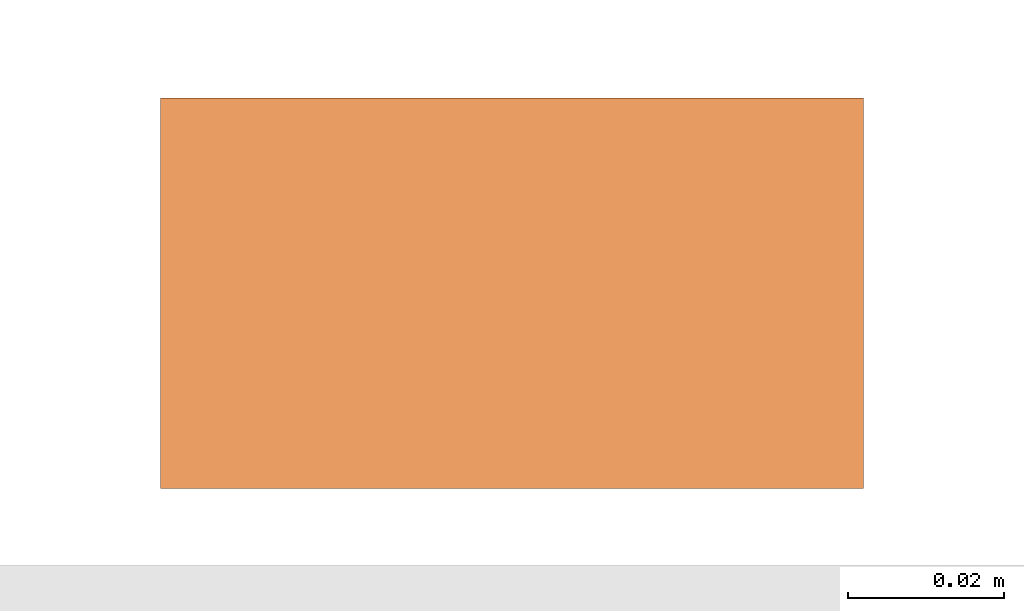
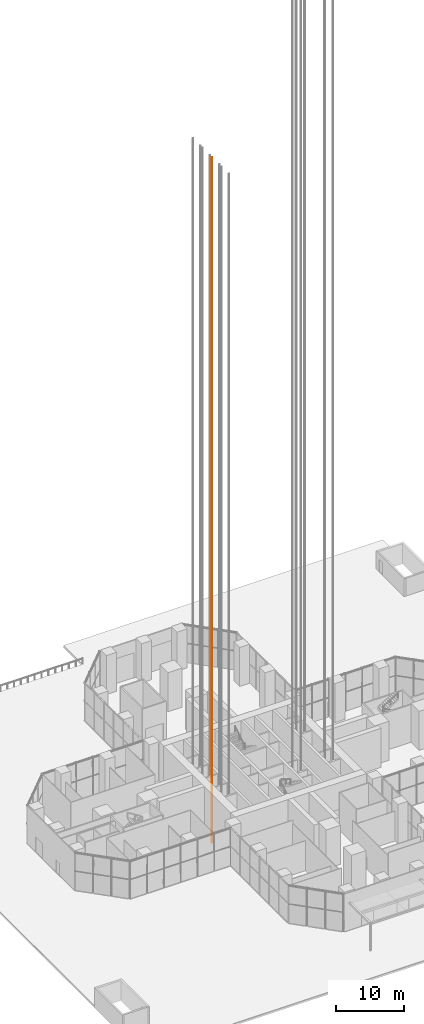
# One storey, part 33 of 43: 1 proxy.
"""IFC4 building model written with IfcOpenShell, lengths in metres."""

from ifc_helpers import new_model, si_unit, direction, frame, origin, origin_2d, place, context, subcontext, project, spatial, rectangle, extrude, material, element, save


model = new_model("IFC4")

# Units and contexts
model_context = context("Model", 3, precision=1e-05, world=origin(), true_north=direction((0.0, 1.0)))
body_context = subcontext(model_context, "Body", "Model", "MODEL_VIEW")
ifc_project = project(units=[si_unit("LENGTHUNIT", "METRE"), si_unit("AREAUNIT", "SQUARE_METRE"), si_unit("VOLUMEUNIT", "CUBIC_METRE"), si_unit("PLANEANGLEUNIT", "RADIAN"), si_unit("MASSUNIT", "GRAM", prefix="KILO")], contexts=[model_context])

# Site, building, storey
site_placement = place(None, origin())
site = spatial("IfcSite", under=ifc_project, at=site_placement, CompositionType="ELEMENT")
building_placement = place(site_placement, origin())
building = spatial("IfcBuilding", under=site, at=building_placement, Name="Mizan Broadcast Tower", CompositionType="ELEMENT")
storey_placement = place(building_placement, origin())
storey = spatial("IfcBuildingStorey", under=building, at=storey_placement, Name="L00", CompositionType="ELEMENT", Elevation=0.0)

# Proxy
ifc_material = material(Name="Steel guide rail", Category="steel")
proxy_placement = place(storey_placement, frame((-8.800048828125, -0.2900390625, -5.0), z_axis=(0.0, 0.0, 1.0), x_axis=(1.0, 0.0, 0.0)))
element("IfcBuildingElementProxy", 1, at=proxy_placement, inside=storey, material=ifc_material, Name="Guide rail LA2-2", PredefinedType="NOTDEFINED", context=body_context, shape_type="SweptSolid", body=[
    extrude(rectangle(XDim=0.090087890625, YDim=0.050048828125, at=origin_2d()), origin(), (0.0, 0.0, 1.0), 122.969970703125),
])

save(model, "model.ifc")
